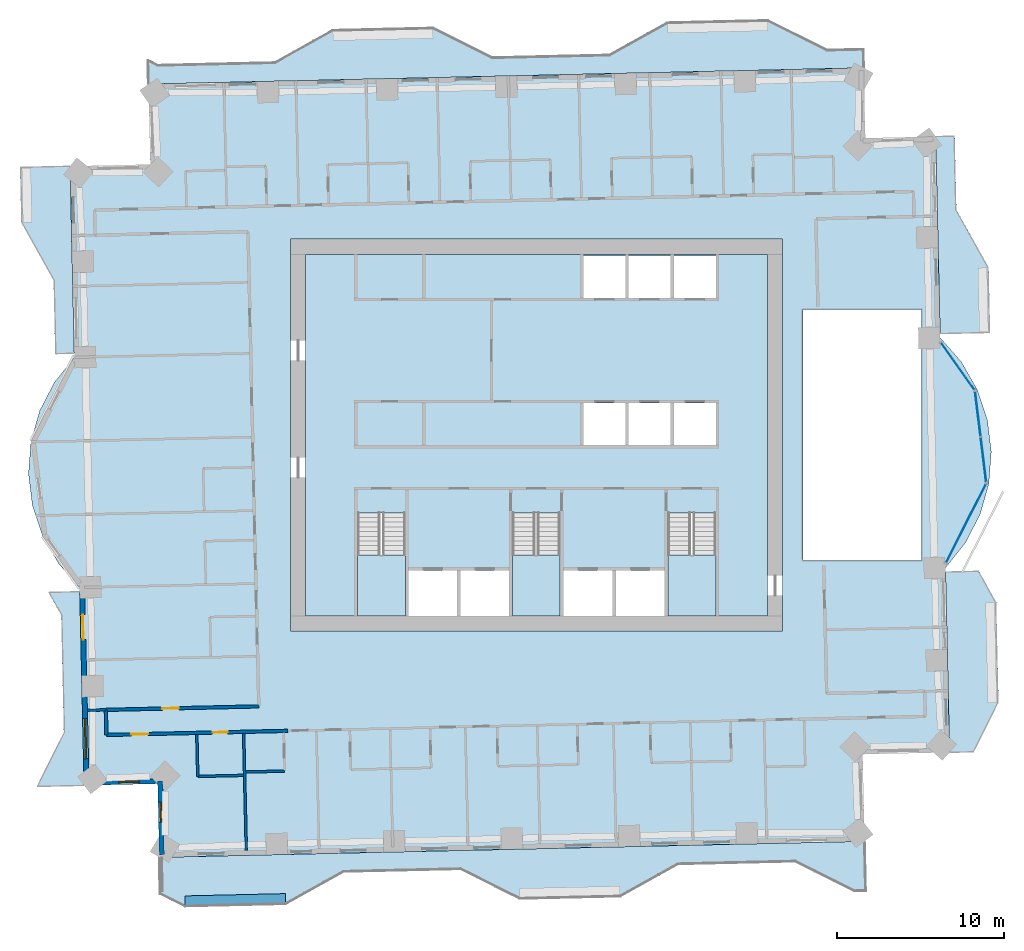
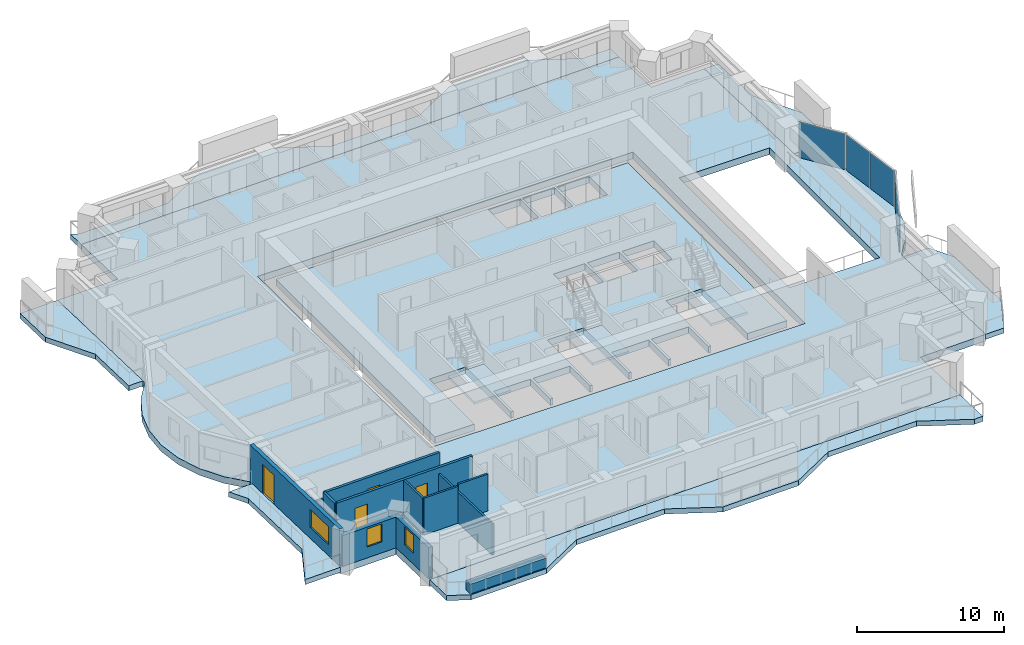
# One storey, part 5 of 16: 12 walls, 11 slabs, 4 doors, 4 plates, 3 windows, 7 openings, 6 elements without a shape of their own.
"""IFC4 building model written with IfcOpenShell, lengths in metres."""

from ifc_helpers import new_model, si_unit, direction, frame, frame_2d, origin, origin_2d, place, context, subcontext, project, spatial, polyline, rectangle, outline, extrude, material, layer, layer_set, type_object, element, fill, aggregate, save


model = new_model("IFC4")

# Units and contexts
model_context = context("Model", 3, precision=1e-05, world=origin(), true_north=direction((0.0, 1.0)))
body_context = subcontext(model_context, "Body", "Model", "MODEL_VIEW")
ifc_project = project(units=[si_unit("LENGTHUNIT", "METRE"), si_unit("AREAUNIT", "SQUARE_METRE"), si_unit("VOLUMEUNIT", "CUBIC_METRE"), si_unit("PLANEANGLEUNIT", "RADIAN"), si_unit("MASSUNIT", "GRAM", prefix="KILO")], contexts=[model_context])

# Site, building, storey
site_placement = place(None, origin())
site = spatial("IfcSite", under=ifc_project, at=site_placement, CompositionType="ELEMENT")
building_placement = place(site_placement, origin())
building = spatial("IfcBuilding", under=site, at=building_placement, Name="Mangrove Gate Tower", CompositionType="ELEMENT")
storey_placement = place(building_placement, frame((0.0, 0.0, 144.5)))
storey = spatial("IfcBuildingStorey", under=building, at=storey_placement, Name="L36", CompositionType="ELEMENT", Elevation=144.5)

# Curtain wall, plate
ifc_material_1 = material(Name="Aluminium and glass curtain wall", Category="aluminium")
curtain_wall_type = type_object("IfcCurtainWallType", Name="Atrium garden-court glazing wall", PredefinedType="NOTDEFINED", material=ifc_material_1)
curtain_wall_1_placement = place(storey_placement, origin())
curtain_wall_1 = element("IfcCurtainWall", 1, at=curtain_wall_1_placement, inside=storey, type_object=curtain_wall_type, Name="Atrium garden-court glazing E1f1", PredefinedType="NOTDEFINED")
ifc_material_2 = material(Name="Laminated low-e glass", Category="glass")
ifc_layer_1 = layer(ifc_material_2, 0.031982421875)
ifc_layer_set_1 = layer_set([ifc_layer_1], Name="Atrium garden-court glazing panel 32")
plate_type = type_object("IfcPlateType", Name="Atrium garden-court glazing panel 32", PredefinedType="CURTAIN_PANEL", material=ifc_layer_set_1)
plate_1_placement = place(storey_placement, frame((25.647216796875, -5.28466796875, 0.0), z_axis=(0.0, 0.0, 1.0), x_axis=(0.452614630938, 0.891706227331, 0.0)))
plate_1 = element("IfcPlate", 2, at=plate_1_placement, type_object=plate_type, Name="CWA panel 1.1", PredefinedType="CURTAIN_PANEL", context=body_context, shape_type="SweptSolid", body=[
    extrude(rectangle(XDim=5.258544921875, YDim=0.031982421875, at=origin_2d()), origin(), (0.0, 0.0, 1.0), 2.97998046875),
])
aggregate(curtain_wall_1, [plate_1])

# Curtain wall, plates
curtain_wall_2_placement = place(storey_placement, origin())
curtain_wall_2 = element("IfcCurtainWall", 3, at=curtain_wall_2_placement, inside=storey, type_object=curtain_wall_type, Name="Atrium garden-court glazing E1f2", PredefinedType="NOTDEFINED")
plate_2_placement = place(storey_placement, frame((26.696533203125, -1.4775390625, 0.0), z_axis=(0.0, 0.0, 1.0), x_axis=(-0.122172285885, 0.992508908051, 0.0)))
plate_2 = element("IfcPlate", 4, at=plate_2_placement, type_object=plate_type, Name="CWA panel 1.1", PredefinedType="CURTAIN_PANEL", context=body_context, shape_type="SweptSolid", body=[
    extrude(rectangle(XDim=2.681640625, YDim=0.031982421875, at=origin_2d()), origin(), (0.0, 0.0, 1.0), 2.97998046875),
])
plate_3_placement = place(storey_placement, frame((26.3603515625, 1.253662109375, 0.0), z_axis=(0.0, 0.0, 1.0), x_axis=(-0.122172285885, 0.992508908051, 0.0)))
plate_3 = element("IfcPlate", 5, at=plate_3_placement, type_object=plate_type, Name="CWA panel 2.1", PredefinedType="CURTAIN_PANEL", context=body_context, shape_type="SweptSolid", body=[
    extrude(rectangle(XDim=2.681640625, YDim=0.031982421875, at=origin_2d()), origin(), (0.0, 0.0, 1.0), 2.97998046875),
])
aggregate(curtain_wall_2, [plate_2, plate_3])

# Curtain wall, plate
curtain_wall_3_placement = place(storey_placement, origin())
curtain_wall_3 = element("IfcCurtainWall", 6, at=curtain_wall_3_placement, inside=storey, type_object=curtain_wall_type, Name="Atrium garden-court glazing E1f3", PredefinedType="NOTDEFINED")
plate_4_placement = place(storey_placement, frame((25.15625, 4.10986328125, 0.0), z_axis=(0.0, 0.0, 1.0), x_axis=(-0.578132252952, 0.815943072828, 0.0)))
plate_4 = element("IfcPlate", 7, at=plate_4_placement, type_object=plate_type, Name="CWA panel 1.1", PredefinedType="CURTAIN_PANEL", context=body_context, shape_type="SweptSolid", body=[
    extrude(rectangle(XDim=3.428955078125, YDim=0.031982421875, at=origin_2d()), origin(), (0.0, 0.0, 1.0), 2.97998046875),
])
aggregate(curtain_wall_3, [plate_4])

# Slabs
ifc_material_3 = material(Name="Porcelain tile")
ifc_layer_2 = layer(ifc_material_3, 0.02001953125, Name="Tile finish")
ifc_material_4 = material(Name="Cement sand screed")
ifc_layer_3 = layer(ifc_material_4, 0.0400390625, Name="Screed laid to falls")
ifc_material_5 = material(Name="Bituminous waterproofing membrane")
ifc_layer_4 = layer(ifc_material_5, 0.00390625, Name="Waterproofing")
ifc_material_6 = material(Name="Concrete C40/50", Category="concrete")
ifc_layer_5 = layer(ifc_material_6, 0.340087890625, Name="Balcony structural slab")
ifc_material_7 = material(Name="Limestone", Category="masonry")
ifc_layer_6 = layer(ifc_material_7, 0.01611328125, Name="Soffit lining")
ifc_layer_set_2 = layer_set([ifc_layer_2, ifc_layer_3, ifc_layer_4, ifc_layer_5, ifc_layer_6], Name="Balcony slab 420 C40/50")
slab_type_1 = type_object("IfcSlabType", Name="Balcony slab 420 C40/50", PredefinedType="FLOOR", material=ifc_layer_set_2)
slab_1_placement = place(storey_placement, frame((0.0, 0.0, -0.419921875)))
element("IfcSlab", 8, at=slab_1_placement, inside=storey, type_object=slab_type_1, Name="BALCONY L36 E0", PredefinedType="FLOOR", context=body_context, shape_type="SweptSolid", body=[
    extrude(outline(polyline([(26.1279296875, -18.925048828125), (27.594970703125, -15.990966796875), (27.458984375, -9.992919921875), (26.426025390625, -8.14111328125), (24.427001953125, -8.18701171875), (24.469970703125, -10.06103515625), (24.60595703125, -16.05908203125), (24.6708984375, -18.9580078125), (26.1279296875, -18.925048828125)])), origin(), (0.0, 0.0, 1.0), 0.419921875),
])
slab_2_placement = place(storey_placement, frame((0.0, 0.0, -0.419921875)))
element("IfcSlab", 9, at=slab_2_placement, inside=storey, type_object=slab_type_1, Name="BALCONY L36 E1", PredefinedType="FLOOR", context=body_context, shape_type="SweptSolid", body=[
    extrude(outline(polyline([(27.093017578125, 6.1279296875), (27.0048828125, 10.001953125), (25.075927734375, 13.458984375), (24.97607421875, 17.85791015625), (23.8369140625, 17.83203125), (23.93603515625, 13.43310546875), (24.01611328125, 9.93408203125), (24.10400390625, 6.06005859375), (27.093017578125, 6.1279296875)])), origin(), (0.0, 0.0, 1.0), 0.419921875),
])
slab_3_placement = place(storey_placement, frame((0.0, 0.0, -0.419921875)))
element("IfcSlab", 10, at=slab_3_placement, inside=storey, type_object=slab_type_1, Name="BALCONY L36 N0", PredefinedType="FLOOR", context=body_context, shape_type="SweptSolid", body=[
    extrude(outline(polyline([(19.51611328125, 23.074951171875), (17.344970703125, 23.02587890625), (13.803955078125, 24.7958984375), (7.805908203125, 24.659912109375), (4.347900390625, 22.73095703125), (-1.85009765625, 22.591064453125), (-2.64990234375, 22.572998046875), (-6.19091796875, 24.343017578125), (-12.18896484375, 24.2060546875), (-15.64599609375, 22.277099609375), (-22.64501953125, 22.1201171875), (-23.222900390625, 22.407958984375), (-23.19091796875, 20.966064453125), (-6.123046875, 21.35302734375), (4.3740234375, 21.592041015625), (19.5419921875, 21.93603515625), (19.51611328125, 23.074951171875)])), origin(), (0.0, 0.0, 1.0), 0.419921875),
])
slab_4_placement = place(storey_placement, frame((0.0, 0.0, -0.419921875)))
element("IfcSlab", 11, at=slab_4_placement, inside=storey, type_object=slab_type_1, Name="BALCONY L36 W0", PredefinedType="FLOOR", context=body_context, shape_type="SweptSolid", body=[
    extrude(outline(polyline([(-30.8701171875, 15.989990234375), (-30.794921875, 12.69091796875), (-28.865966796875, 9.23388671875), (-28.76708984375, 4.861083984375), (-27.626953125, 4.886962890625), (-27.72607421875, 9.260009765625), (-27.805908203125, 12.759033203125), (-27.881103515625, 16.05810546875), (-30.8701171875, 15.989990234375)])), origin(), (0.0, 0.0, 1.0), 0.419921875),
])
slab_5_placement = place(storey_placement, frame((0.0, 0.0, -0.419921875)))
element("IfcSlab", 12, at=slab_5_placement, inside=storey, type_object=slab_type_1, Name="BALCONY L36 W1", PredefinedType="FLOOR", context=body_context, shape_type="SweptSolid", body=[
    extrude(outline(polyline([(-29.169921875, -9.403076171875), (-28.412109375, -10.760986328125), (-28.2529296875, -17.759033203125), (-29.8720703125, -20.99609375), (-27.041015625, -20.931884765625), (-27.114013671875, -17.73291015625), (-27.27197265625, -10.735107421875), (-27.303955078125, -9.360107421875), (-29.169921875, -9.403076171875)])), origin(), (0.0, 0.0, 1.0), 0.419921875),
])
slab_6_placement = place(storey_placement, frame((0.0, 0.0, -0.419921875)))
element("IfcSlab", 13, at=slab_6_placement, inside=storey, type_object=slab_type_1, Name="BALCONY L36 S0", PredefinedType="FLOOR", context=body_context, shape_type="SweptSolid", body=[
    extrude(outline(polyline([(-22.491943359375, -27.443115234375), (-21.0029296875, -28.18701171875), (-15.00390625, -28.051025390625), (-11.547119140625, -26.1220703125), (-4.549072265625, -25.962890625), (-1.008056640625, -27.73291015625), (4.989990234375, -27.596923828125), (8.447021484375, -25.66796875), (15.446044921875, -25.510009765625), (18.987060546875, -27.280029296875), (19.658935546875, -27.263916015625), (19.591064453125, -24.27490234375), (-22.5419921875, -25.23095703125), (-22.491943359375, -27.443115234375)])), origin(), (0.0, 0.0, 1.0), 0.419921875),
])
ifc_material_8 = material(Name="Concrete C40/50", Category="concrete")
ifc_layer_7 = layer(ifc_material_8, 0.550048828125)
ifc_layer_set_3 = layer_set([ifc_layer_7], Name="Core floor slab 550 C40/50")
slab_type_2 = type_object("IfcSlabType", Name="Core floor slab 550 C40/50", PredefinedType="FLOOR", material=ifc_layer_set_3)
slab_7_placement = place(storey_placement, frame((0.0, 0.0, -0.550048828125)))
element("IfcSlab", 14, at=slab_7_placement, inside=storey, type_object=slab_type_2, Name="SLAB-L36-CORE-1", PredefinedType="FLOOR", context=body_context, shape_type="SweptSolid", body=[
    extrude(outline(polyline([(-13.800048828125, -10.800048828125), (-13.800048828125, 10.800048828125), (13.800048828125, 10.800048828125), (13.800048828125, -10.800048828125), (10.699951171875, -10.800048828125), (10.699951171875, -4.653076171875), (7.85009765625, -4.653076171875), (7.85009765625, -10.800048828125), (7.64990234375, -10.800048828125), (7.64990234375, -8.10009765625), (4.72509765625, -8.10009765625), (4.72509765625, -10.800048828125), (4.52490234375, -10.800048828125), (4.52490234375, -8.10009765625), (1.60009765625, -8.10009765625), (1.60009765625, -10.800048828125), (1.39990234375, -10.800048828125), (1.39990234375, -4.653076171875), (-1.449951171875, -4.653076171875), (-1.449951171875, -10.800048828125), (-1.64990234375, -10.800048828125), (-1.64990234375, -8.10009765625), (-4.550048828125, -8.10009765625), (-4.550048828125, -10.800048828125), (-4.75, -10.800048828125), (-4.75, -8.10009765625), (-7.64990234375, -8.10009765625), (-7.64990234375, -10.800048828125), (-7.85009765625, -10.800048828125), (-7.85009765625, -4.653076171875), (-10.699951171875, -4.653076171875), (-10.699951171875, -10.800048828125), (-13.800048828125, -10.800048828125)]), holes=[polyline([(5.300048828125, -0.60009765625), (5.300048828125, 1.89990234375), (2.800048828125, 1.89990234375), (2.800048828125, -0.60009765625), (5.300048828125, -0.60009765625)]), polyline([(5.300048828125, 10.699951171875), (2.800048828125, 10.699951171875), (2.800048828125, 8.199951171875), (5.300048828125, 8.199951171875), (5.300048828125, 10.699951171875)]), polyline([(8.0, -0.60009765625), (8.0, 1.89990234375), (5.5, 1.89990234375), (5.5, -0.60009765625), (8.0, -0.60009765625)]), polyline([(10.699951171875, -0.60009765625), (10.699951171875, 1.89990234375), (8.199951171875, 1.89990234375), (8.199951171875, -0.60009765625), (10.699951171875, -0.60009765625)]), polyline([(8.0, 8.199951171875), (8.0, 10.699951171875), (5.5, 10.699951171875), (5.5, 8.199951171875), (8.0, 8.199951171875)]), polyline([(10.699951171875, 8.199951171875), (10.699951171875, 10.699951171875), (8.199951171875, 10.699951171875), (8.199951171875, 8.199951171875), (10.699951171875, 8.199951171875)])]), origin(), (0.0, 0.0, 1.0), 0.550048828125),
])

# Stair, slab
ifc_material_9 = material(Name="Concrete C40/50", Category="concrete")
stair_type = type_object("IfcStairType", Name="Core stair 1350", PredefinedType="HALF_TURN_STAIR", material=ifc_material_9)
stair_1_placement = place(storey_placement, origin())
stair_1 = element("IfcStair", 15, at=stair_1_placement, inside=storey, type_object=stair_type, Name="L36 Stair 1", PredefinedType="HALF_TURN_STAIR")
ifc_material_10 = material(Name="Concrete C40/50", Category="concrete")
ifc_layer_8 = layer(ifc_material_10, 0.199951171875)
ifc_layer_set_4 = layer_set([ifc_layer_8], Name="Core stair landing 200")
slab_type_3 = type_object("IfcSlabType", Name="Core stair landing 200", PredefinedType="LANDING", material=ifc_layer_set_4)
slab_8_placement = place(storey_placement, frame((0.0, 0.0, 1.60009765625)))
slab_8 = element("IfcSlab", 16, at=slab_8_placement, type_object=slab_type_3, Name="ST1 landing 1", PredefinedType="LANDING", context=body_context, shape_type="SweptSolid", body=[
    extrude(outline(polyline([(-10.699951171875, -7.169921875), (-10.699951171875, -10.800048828125), (-7.85009765625, -10.800048828125), (-7.85009765625, -7.169921875), (-10.699951171875, -7.169921875)])), origin(), (0.0, 0.0, 1.0), 0.199951171875),
])
aggregate(stair_1, [slab_8])

stair_2_placement = place(storey_placement, origin())
stair_2 = element("IfcStair", 17, at=stair_2_placement, inside=storey, type_object=stair_type, Name="L36 Stair 2", PredefinedType="HALF_TURN_STAIR")
slab_9_placement = place(storey_placement, frame((0.0, 0.0, 1.60009765625)))
slab_9 = element("IfcSlab", 18, at=slab_9_placement, type_object=slab_type_3, Name="ST2 landing 1", PredefinedType="LANDING", context=body_context, shape_type="SweptSolid", body=[
    extrude(outline(polyline([(-1.449951171875, -7.169921875), (-1.449951171875, -10.800048828125), (1.39990234375, -10.800048828125), (1.39990234375, -7.169921875), (-1.449951171875, -7.169921875)])), origin(), (0.0, 0.0, 1.0), 0.199951171875),
])
aggregate(stair_2, [slab_9])

stair_3_placement = place(storey_placement, origin())
stair_3 = element("IfcStair", 19, at=stair_3_placement, inside=storey, type_object=stair_type, Name="L36 Stair 3", PredefinedType="HALF_TURN_STAIR")
slab_10_placement = place(storey_placement, frame((0.0, 0.0, 1.60009765625)))
slab_10 = element("IfcSlab", 20, at=slab_10_placement, type_object=slab_type_3, Name="ST3 landing 1", PredefinedType="LANDING", context=body_context, shape_type="SweptSolid", body=[
    extrude(outline(polyline([(7.85009765625, -7.169921875), (7.85009765625, -10.800048828125), (10.699951171875, -10.800048828125), (10.699951171875, -7.169921875), (7.85009765625, -7.169921875)])), origin(), (0.0, 0.0, 1.0), 0.199951171875),
])
aggregate(stair_3, [slab_10])

# Slab
ifc_material_11 = material(Name="Concrete C40/50", Category="concrete")
ifc_layer_9 = layer(ifc_material_11, 0.550048828125)
ifc_layer_set_5 = layer_set([ifc_layer_9], Name="Floor slab 550 C40/50")
slab_type_4 = type_object("IfcSlabType", Name="Floor slab 550 C40/50", PredefinedType="FLOOR", material=ifc_layer_set_5)
slab_11_placement = place(storey_placement, frame((0.0, 0.0, -0.550048828125)))
element("IfcSlab", 21, at=slab_11_placement, inside=storey, type_object=slab_type_4, Name="Floor slab L36", PredefinedType="FLOOR", context=body_context, shape_type="SweptSolid", body=[
    extrude(outline(polyline([(-22.54248046875, -25.231201171875), (19.5908203125, -24.275146484375), (19.472900390625, -19.076416015625), (24.67138671875, -18.95849609375), (24.42138671875, -7.9365234375), (25.617919921875, -6.4443359375), (26.494873046875, -4.744384765625), (27.017333984375, -2.904296875), (27.16455078125, -0.997314453125), (26.930908203125, 0.901123046875), (26.325439453125, 2.715576171875), (25.372314453125, 4.3740234375), (24.109375, 5.810546875), (23.836669921875, 17.83203125), (19.6376953125, 17.73681640625), (19.542236328125, 21.935791015625), (-23.190673828125, 20.966064453125), (-23.081787109375, 16.167236328125), (-27.880615234375, 16.058349609375), (-27.621337890625, 4.636474609375), (-28.81787109375, 3.144287109375), (-29.69482421875, 1.4443359375), (-30.21728515625, -0.395751953125), (-30.364501953125, -2.302734375), (-30.130859375, -4.201171875), (-29.525390625, -6.015625), (-28.572265625, -7.674072265625), (-27.309326171875, -9.110595703125), (-27.041015625, -20.93212890625), (-22.642333984375, -20.832275390625), (-22.54248046875, -25.231201171875)]), holes=[polyline([(15.89990234375, 7.5), (22.9951171875, 7.5), (22.9951171875, -7.5), (15.89990234375, -7.5), (15.89990234375, 7.5)]), polyline([(-14.699951171875, -11.699951171875), (-14.699951171875, 11.699951171875), (14.699951171875, 11.699951171875), (14.699951171875, -11.699951171875), (-14.699951171875, -11.699951171875)])]), origin(), (0.0, 0.0, 1.0), 0.550048828125),
])

# Wall
ifc_material_12 = material(Name="Gypsum board on steel stud, EI 60", Category="steel")
ifc_layer_10 = layer(ifc_material_12, 0.199951171875)
ifc_layer_set_6 = layer_set([ifc_layer_10], Name="Corridor wall EI 60")
wall_type_1 = type_object("IfcWallType", Name="Corridor wall EI 60", PredefinedType="PARTITIONING", material=ifc_layer_set_6)
wall_1_placement = place(storey_placement, frame((-25.70703125, -17.925048828125, 0.0), z_axis=(0.0, 0.0, 1.0), x_axis=(-0.022617910375, 0.999744182344, 0.0)))
element("IfcWall", 22, at=wall_1_placement, inside=storey, type_object=wall_type_1, Name="WALL-L36-024", PredefinedType="PARTITIONING", context=body_context, shape_type="SweptSolid", body=[
    extrude(rectangle(XDim=1.50048828125, YDim=0.199951171875, at=frame_2d((0.750244140625, 0.0))), origin(), (0.0, 0.0, 1.0), 3.050048828125),
])

# Wall, openings, doors
wall_2_placement = place(storey_placement, frame((-25.708984375, -17.9208984375, 0.0), z_axis=(0.0, 0.0, 1.0), x_axis=(0.999742764922, 0.022680475901, 0.0)))
wall_2 = element("IfcWall", 23, at=wall_2_placement, inside=storey, type_object=wall_type_1, Name="WALL-L36-026", PredefinedType="PARTITIONING", context=body_context, shape_type="SweptSolid", body=[
    extrude(rectangle(XDim=10.839599609375, YDim=0.199951171875, at=frame_2d((5.419921875, 0.0))), origin(), (0.0, 0.0, 1.0), 3.050048828125),
])
opening_1_placement = place(wall_2_placement, frame((1.5, 0.0, 0.0)))
opening_1 = element("IfcOpeningElement", 24, at=opening_1_placement, cuts=wall_2, Name="Opening AD", PredefinedType="OPENING", context=body_context, shape_type="SweptSolid", body=[
    extrude(rectangle(XDim=1.0, YDim=2.10009765625, at=frame_2d((0.5, 1.050048828125))), frame((0.0, 0.10986328125, 0.0), z_axis=(0.0, -1.0, 0.0), x_axis=(1.0, 0.0, 0.0)), (0.0, 0.0, 1.0), 0.219970703125),
])
opening_2_placement = place(wall_2_placement, frame((6.35009765625, 0.0, 0.0)))
opening_2 = element("IfcOpeningElement", 25, at=opening_2_placement, cuts=wall_2, Name="Opening SD", PredefinedType="OPENING", context=body_context, shape_type="SweptSolid", body=[
    extrude(rectangle(XDim=0.89990234375, YDim=2.10009765625, at=frame_2d((0.449951171875, 1.050048828125))), frame((0.0, 0.10986328125, 0.0), z_axis=(0.0, -1.0, 0.0), x_axis=(1.0, 0.0, 0.0)), (0.0, 0.0, 1.0), 0.219970703125),
])
ifc_material_13 = material(Name="Timber door leaf", Category="wood")
door_type_1 = type_object("IfcDoorType", Name="Amenity door 1000", OperationType="SINGLE_SWING_LEFT", PredefinedType="DOOR", material=ifc_material_13)
door_1_placement = place(opening_1_placement, origin())
door_1 = element("IfcDoor", 26, at=door_1_placement, inside=storey, type_object=door_type_1, Name="DOOR-L36-LNG-c1a", OperationType="SINGLE_SWING_LEFT", OverallHeight=2.10009765625, OverallWidth=1.0, PredefinedType="DOOR", context=body_context, shape_type="SweptSolid", body=[
    extrude(rectangle(XDim=1.0, YDim=2.10009765625, at=frame_2d((0.5, 1.050048828125))), frame((0.0, 0.02490234375, 0.0), z_axis=(0.0, -1.0, 0.0), x_axis=(1.0, 0.0, 0.0)), (0.0, 0.0, 1.0), 0.050048828125),
])
fill(opening_1, door_1)
ifc_material_14 = material(Name="Timber door leaf", Category="wood")
door_type_2 = type_object("IfcDoorType", Name="Service room door 900", OperationType="SINGLE_SWING_LEFT", PredefinedType="DOOR", material=ifc_material_14)
door_2_placement = place(opening_2_placement, origin())
door_2 = element("IfcDoor", 27, at=door_2_placement, inside=storey, type_object=door_type_2, Name="DOOR-L36-LDY-c1a", OperationType="SINGLE_SWING_LEFT", OverallHeight=2.10009765625, OverallWidth=0.89990234375, PredefinedType="DOOR", context=body_context, shape_type="SweptSolid", body=[
    extrude(rectangle(XDim=0.89990234375, YDim=2.10009765625, at=frame_2d((0.449951171875, 1.050048828125))), frame((0.0, 0.02490234375, 0.0), z_axis=(0.0, -1.0, 0.0), x_axis=(1.0, 0.0, 0.0)), (0.0, 0.0, 1.0), 0.050048828125),
])
fill(opening_2, door_2)

# Wall, opening, door
wall_3_placement = place(storey_placement, frame((-25.742919921875, -16.422119140625, 0.0), z_axis=(0.0, 0.0, 1.0), x_axis=(0.999741076645, 0.022754772455, 0.0)))
wall_3 = element("IfcWall", 28, at=wall_3_placement, inside=storey, type_object=wall_type_1, Name="WALL-L36-032", PredefinedType="PARTITIONING", context=body_context, shape_type="SweptSolid", body=[
    extrude(rectangle(XDim=9.141357421875, YDim=0.199951171875, at=frame_2d((4.57080078125, 0.0))), origin(), (0.0, 0.0, 1.0), 3.050048828125),
])
opening_3_placement = place(wall_3_placement, frame((3.37109375, 0.0, 0.0)))
opening_3 = element("IfcOpeningElement", 29, at=opening_3_placement, cuts=wall_3, Name="Opening AD", PredefinedType="OPENING", context=body_context, shape_type="SweptSolid", body=[
    extrude(rectangle(XDim=1.0, YDim=2.10009765625, at=frame_2d((0.5, 1.050048828125))), frame((0.0, 0.10986328125, 0.0), z_axis=(0.0, -1.0, 0.0), x_axis=(1.0, 0.0, 0.0)), (0.0, 0.0, 1.0), 0.219970703125),
])
door_3_placement = place(opening_3_placement, origin())
door_3 = element("IfcDoor", 30, at=door_3_placement, inside=storey, type_object=door_type_1, Name="DOOR-L36-STU-c5d", OperationType="SINGLE_SWING_RIGHT", OverallHeight=2.10009765625, OverallWidth=1.0, PredefinedType="DOOR", context=body_context, shape_type="SweptSolid", body=[
    extrude(rectangle(XDim=1.0, YDim=2.10009765625, at=frame_2d((0.5, 1.050048828125))), frame((0.0, 0.02490234375, 0.0), z_axis=(0.0, -1.0, 0.0), x_axis=(1.0, 0.0, 0.0)), (0.0, 0.0, 1.0), 0.050048828125),
])
fill(opening_3, door_3)

# Wall, openings, door, window
ifc_layer_11 = layer(ifc_material_7, 0.0400390625, Name="Limestone cladding")
ifc_material_15 = material(Name="Ventilated air gap")
ifc_layer_12 = layer(ifc_material_15, 0.0400390625, Name="Ventilated cavity")
ifc_material_16 = material(Name="Mineral wool insulation")
ifc_layer_13 = layer(ifc_material_16, 0.06005859375, Name="Insulation")
ifc_material_17 = material(Name="Breather membrane")
ifc_layer_14 = layer(ifc_material_17, 0.001953125, Name="Breather membrane")
ifc_material_18 = material(Name="Concrete C20/25 blockwork", Category="masonry")
ifc_layer_15 = layer(ifc_material_18, 0.14990234375, Name="Blockwork backing wall")
ifc_material_19 = material(Name="Gypsum plaster")
ifc_layer_16 = layer(ifc_material_19, 0.008056640625, Name="Internal plaster")
ifc_layer_set_7 = layer_set([ifc_layer_11, ifc_layer_12, ifc_layer_13, ifc_layer_14, ifc_layer_15, ifc_layer_16], Name="External wall 300 limestone cladding")
wall_type_2 = type_object("IfcWallType", Name="External wall 300 limestone cladding", PredefinedType="SOLIDWALL", material=ifc_layer_set_7)
wall_4_placement = place(storey_placement, frame((-27.160888671875, -9.052001953125, 0.0), z_axis=(0.0, 0.0, 1.0), x_axis=(0.022665616813, -0.999743101909, 0.0)))
wall_4 = element("IfcWall", 31, at=wall_4_placement, inside=storey, type_object=wall_type_2, Name="WALL-L36-W10", PredefinedType="SOLIDWALL", context=body_context, shape_type="SweptSolid", body=[
    extrude(rectangle(XDim=11.72998046875, YDim=0.300048828125, at=frame_2d((5.864990234375, 0.0))), origin(), (0.0, 0.0, 1.0), 3.050048828125),
])
opening_4_placement = place(wall_4_placement, frame((1.678955078125, 0.0, 0.0)))
opening_4 = element("IfcOpeningElement", 32, at=opening_4_placement, cuts=wall_4, Name="Opening BD1", PredefinedType="OPENING", context=body_context, shape_type="SweptSolid", body=[
    extrude(rectangle(XDim=1.5, YDim=2.39990234375, at=frame_2d((0.75, 1.199951171875))), frame((0.0, 0.159912109375, 0.0), z_axis=(0.0, -1.0, 0.0), x_axis=(1.0, 0.0, 0.0)), (0.0, 0.0, 1.0), 0.320068359375),
])
opening_5_placement = place(wall_4_placement, frame((7.89208984375, 0.0, 0.89990234375)))
opening_5 = element("IfcOpeningElement", 33, at=opening_5_placement, cuts=wall_4, Name="Opening W2", PredefinedType="OPENING", context=body_context, shape_type="SweptSolid", body=[
    extrude(rectangle(XDim=2.39990234375, YDim=1.5, at=frame_2d((1.199951171875, 0.75))), frame((0.0, 0.159912109375, 0.0), z_axis=(0.0, -1.0, 0.0), x_axis=(1.0, 0.0, 0.0)), (0.0, 0.0, 1.0), 0.320068359375),
])
ifc_material_20 = material(Name="Aluminium frame with laminated clear glass", Category="aluminium")
door_type_3 = type_object("IfcDoorType", Name="Balcony sliding door 1500x2400", OperationType="SLIDING_TO_LEFT", PredefinedType="DOOR", material=ifc_material_20)
door_4_placement = place(opening_4_placement, origin())
door_4 = element("IfcDoor", 34, at=door_4_placement, inside=storey, type_object=door_type_3, Name="DOOR-L36-W10-1", OperationType="SLIDING_TO_LEFT", OverallHeight=2.39990234375, OverallWidth=1.5, PredefinedType="DOOR", context=body_context, shape_type="SweptSolid", body=[
    extrude(rectangle(XDim=1.5, YDim=2.39990234375, at=frame_2d((0.75, 1.199951171875))), frame((0.0, 0.02490234375, 0.0), z_axis=(0.0, -1.0, 0.0), x_axis=(1.0, 0.0, 0.0)), (0.0, 0.0, 1.0), 0.050048828125),
])
fill(opening_4, door_4)
ifc_material_21 = material(Name="Aluminium frame with double-glazed low-e glass", Category="aluminium")
window_type_1 = type_object("IfcWindowType", Name="Corner room window 2400x1500", PartitioningType="DOUBLE_PANEL_VERTICAL", PredefinedType="WINDOW", material=ifc_material_21)
window_1_placement = place(opening_5_placement, origin())
window_1 = element("IfcWindow", 35, at=window_1_placement, inside=storey, type_object=window_type_1, Name="WIN-L36-W10-2", OverallHeight=1.5, OverallWidth=2.39990234375, PartitioningType="DOUBLE_PANEL_VERTICAL", PredefinedType="WINDOW", context=body_context, shape_type="SweptSolid", body=[
    extrude(rectangle(XDim=2.39990234375, YDim=1.5, at=frame_2d((1.199951171875, 0.75))), frame((0.0, 0.030029296875, 0.0), z_axis=(0.0, -1.0, 0.0), x_axis=(1.0, 0.0, 0.0)), (0.0, 0.0, 1.0), 0.06005859375),
])
fill(opening_5, window_1)

# Wall, opening, window
wall_5_placement = place(storey_placement, frame((-26.89501953125, -20.779052734375, 0.0), z_axis=(0.0, 0.0, 1.0), x_axis=(0.999741551724, 0.022733890051, 0.0)))
wall_5 = element("IfcWall", 36, at=wall_5_placement, inside=storey, type_object=wall_type_2, Name="WALL-L36-S11s1", PredefinedType="SOLIDWALL", context=body_context, shape_type="SweptSolid", body=[
    extrude(rectangle(XDim=4.88623046875, YDim=0.300048828125, at=frame_2d((2.443115234375, 0.0))), origin(), (0.0, 0.0, 1.0), 2.550048828125),
])
opening_6_placement = place(wall_5_placement, frame((1.93603515625, 0.0, 0.89990234375)))
opening_6 = element("IfcOpeningElement", 37, at=opening_6_placement, cuts=wall_5, Name="Opening W1", PredefinedType="OPENING", context=body_context, shape_type="SweptSolid", body=[
    extrude(rectangle(XDim=1.199951171875, YDim=1.5, at=frame_2d((0.60009765625, 0.75))), frame((0.0, 0.159912109375, 0.0), z_axis=(0.0, -1.0, 0.0), x_axis=(1.0, 0.0, 0.0)), (0.0, 0.0, 1.0), 0.320068359375),
])
ifc_material_22 = material(Name="Aluminium frame with double-glazed low-e glass", Category="aluminium")
window_type_2 = type_object("IfcWindowType", Name="Side lite 1200x1500", PartitioningType="SINGLE_PANEL", PredefinedType="WINDOW", material=ifc_material_22)
window_2_placement = place(opening_6_placement, origin())
window_2 = element("IfcWindow", 38, at=window_2_placement, inside=storey, type_object=window_type_2, Name="WIN-L36-S11-1", OverallHeight=1.5, OverallWidth=1.199951171875, PartitioningType="SINGLE_PANEL", PredefinedType="WINDOW", context=body_context, shape_type="SweptSolid", body=[
    extrude(rectangle(XDim=1.199951171875, YDim=1.5, at=frame_2d((0.60009765625, 0.75))), frame((0.0, 0.030029296875, 0.0), z_axis=(0.0, -1.0, 0.0), x_axis=(1.0, 0.0, 0.0)), (0.0, 0.0, 1.0), 0.06005859375),
])
fill(opening_6, window_2)

wall_6_placement = place(storey_placement, frame((-22.49609375, -20.678955078125, 0.0), z_axis=(0.0, 0.0, 1.0), x_axis=(0.022749133868, -0.999741204967, 0.0)))
wall_6 = element("IfcWall", 39, at=wall_6_placement, inside=storey, type_object=wall_type_2, Name="WALL-L36-W12", PredefinedType="SOLIDWALL", context=body_context, shape_type="SweptSolid", body=[
    extrude(rectangle(XDim=4.400146484375, YDim=0.300048828125, at=frame_2d((2.2001953125, 0.0))), origin(), (0.0, 0.0, 1.0), 2.550048828125),
])
opening_7_placement = place(wall_6_placement, frame((1.256103515625, 0.0, 0.89990234375)))
opening_7 = element("IfcOpeningElement", 40, at=opening_7_placement, cuts=wall_6, Name="Opening W1", PredefinedType="OPENING", context=body_context, shape_type="SweptSolid", body=[
    extrude(rectangle(XDim=1.199951171875, YDim=1.5, at=frame_2d((0.60009765625, 0.75))), frame((0.0, 0.159912109375, 0.0), z_axis=(0.0, -1.0, 0.0), x_axis=(1.0, 0.0, 0.0)), (0.0, 0.0, 1.0), 0.320068359375),
])
window_3_placement = place(opening_7_placement, origin())
window_3 = element("IfcWindow", 41, at=window_3_placement, inside=storey, type_object=window_type_2, Name="WIN-L36-W12-1", OverallHeight=1.5, OverallWidth=1.199951171875, PartitioningType="SINGLE_PANEL", PredefinedType="WINDOW", context=body_context, shape_type="SweptSolid", body=[
    extrude(rectangle(XDim=1.199951171875, YDim=1.5, at=frame_2d((0.60009765625, 0.75))), frame((0.0, 0.030029296875, 0.0), z_axis=(0.0, -1.0, 0.0), x_axis=(1.0, 0.0, 0.0)), (0.0, 0.0, 1.0), 0.06005859375),
])
fill(opening_7, window_3)

# Walls
ifc_material_23 = material(Name="Gypsum board on steel stud, EI 60", Category="steel")
ifc_layer_17 = layer(ifc_material_23, 0.14990234375)
ifc_layer_set_8 = layer_set([ifc_layer_17], Name="Party wall 150 EI 60")
wall_type_3 = type_object("IfcWallType", Name="Party wall 150 EI 60", PredefinedType="PARTITIONING", material=ifc_layer_set_8)
wall_7_placement = place(storey_placement, frame((-17.34912109375, -24.81298828125, 0.0), z_axis=(0.0, 0.0, 1.0), x_axis=(-0.022644288452, 0.999743585226, 0.0)))
element("IfcWall", 42, at=wall_7_placement, inside=storey, type_object=wall_type_3, Name="WALL-L36-001", PredefinedType="PARTITIONING", context=body_context, shape_type="SweptSolid", body=[
    extrude(rectangle(XDim=6.9755859375, YDim=0.14990234375, at=frame_2d((3.48779296875, 0.0))), origin(), (0.0, 0.0, 1.0), 2.550048828125),
])
wall_8_placement = place(storey_placement, frame((-20.2490234375, -20.402099609375, 0.0), z_axis=(0.0, 0.0, 1.0), x_axis=(-0.022756903044, 0.999741028149, 0.0)))
element("IfcWall", 43, at=wall_8_placement, inside=storey, type_object=wall_type_3, Name="WALL-L36-011", PredefinedType="PARTITIONING", context=body_context, shape_type="SweptSolid", body=[
    extrude(rectangle(XDim=2.499755859375, YDim=0.14990234375, at=frame_2d((1.25, 0.0))), origin(), (0.0, 0.0, 1.0), 3.050048828125),
])
wall_9_placement = place(storey_placement, frame((-20.2509765625, -20.39794921875, 0.0), z_axis=(0.0, 0.0, 1.0), x_axis=(0.999740955847, 0.022760079124, 0.0)))
element("IfcWall", 44, at=wall_9_placement, inside=storey, type_object=wall_type_3, Name="WALL-L36-012", PredefinedType="PARTITIONING", context=body_context, shape_type="SweptSolid", body=[
    extrude(rectangle(XDim=2.724609375, YDim=0.14990234375, at=frame_2d((1.3623046875, 0.0))), origin(), (0.0, 0.0, 1.0), 3.050048828125),
])
wall_10_placement = place(storey_placement, frame((-17.382080078125, -20.133056640625, 0.0), z_axis=(0.0, 0.0, 1.0), x_axis=(0.99974053329, 0.022778632478, 0.0)))
element("IfcWall", 45, at=wall_10_placement, inside=storey, type_object=wall_type_3, Name="WALL-L36-020", PredefinedType="PARTITIONING", context=body_context, shape_type="SweptSolid", body=[
    extrude(rectangle(XDim=2.32568359375, YDim=0.14990234375, at=frame_2d((1.162841796875, 0.0))), origin(), (0.0, 0.0, 1.0), 3.050048828125),
])
wall_11_placement = place(storey_placement, frame((-26.843017578125, -16.447021484375, 0.0), z_axis=(0.0, 0.0, 1.0), x_axis=(0.999720170098, 0.023655475055, 0.0)))
element("IfcWall", 46, at=wall_11_placement, inside=storey, type_object=wall_type_3, Name="WALL-L36-031", PredefinedType="PARTITIONING", context=body_context, shape_type="SweptSolid", body=[
    extrude(rectangle(XDim=1.104248046875, YDim=0.14990234375, at=frame_2d((0.55224609375, 0.0))), origin(), (0.0, 0.0, 1.0), 2.550048828125),
])
ifc_material_24 = material(Name="Concrete C32/40", Category="concrete")
ifc_layer_18 = layer(ifc_material_24, 0.199951171875, Name="Planter trough wall")
ifc_layer_19 = layer(ifc_material_5, 0.0048828125, Name="Waterproofing")
ifc_material_25 = material(Name="Drainage board and gravel")
ifc_layer_20 = layer(ifc_material_25, 0.044921875, Name="Drainage layer")
ifc_material_26 = material(Name="Planting soil")
ifc_layer_21 = layer(ifc_material_26, 0.300048828125, Name="Growing medium")
ifc_layer_set_9 = layer_set([ifc_layer_18, ifc_layer_19, ifc_layer_20, ifc_layer_21], Name="Planter wall 550 C32/40")
wall_type_4 = type_object("IfcWallType", Name="Planter wall 550 C32/40", PredefinedType="USERDEFINED", material=ifc_layer_set_9)
wall_12_placement = place(storey_placement, frame((-21.010986328125, -27.81201171875, 0.0), z_axis=(0.0, 0.0, 1.0), x_axis=(0.999743094499, 0.022665943652, 0.0)))
element("IfcWall", 47, at=wall_12_placement, inside=storey, type_object=wall_type_4, Name="PLANTER L36 S0.1", ObjectType="PLANTER", PredefinedType="USERDEFINED", context=body_context, shape_type="SweptSolid", body=[
    extrude(rectangle(XDim=5.99951171875, YDim=0.550048828125, at=frame_2d((2.999755859375, 0.0))), origin(), (0.0, 0.0, 1.0), 0.800048828125),
])

save(model, "model.ifc")
